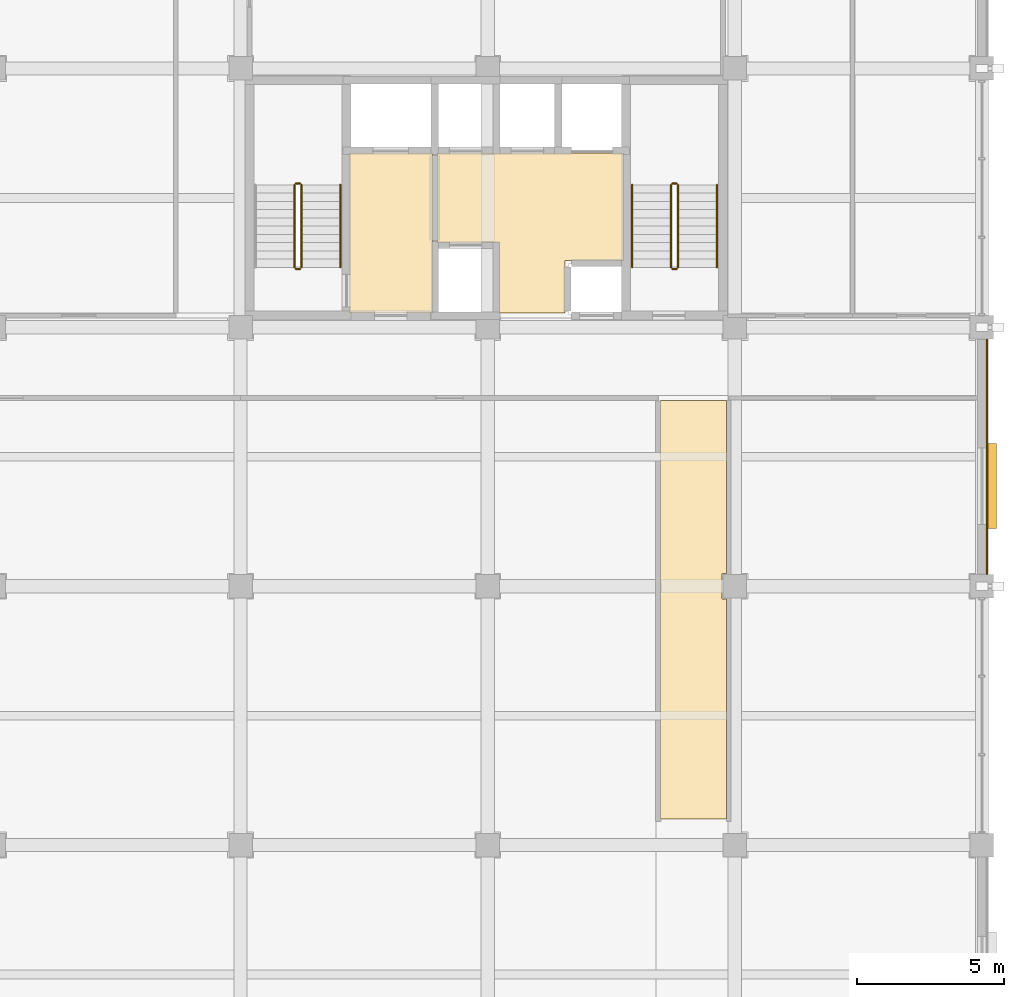
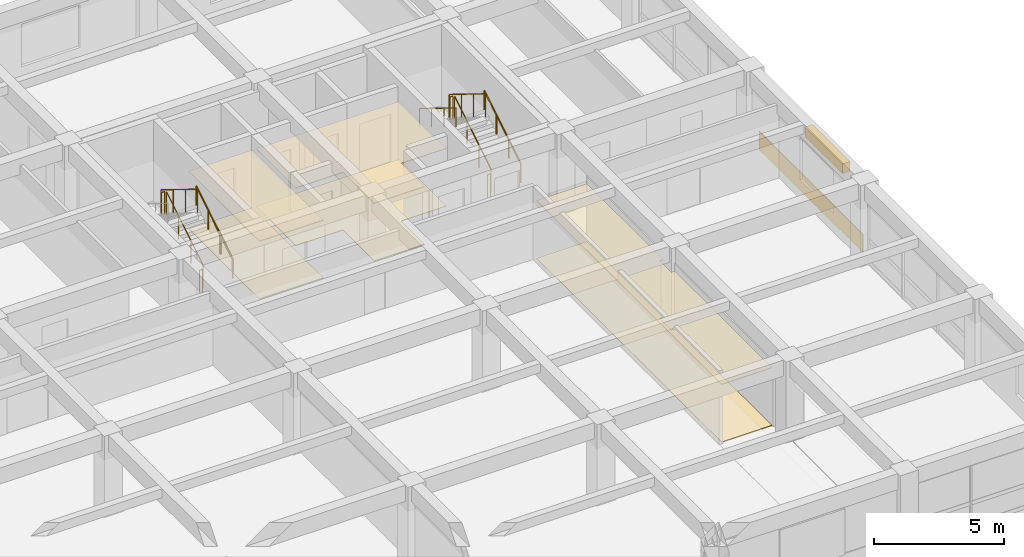
# One storey, part 15 of 16: 11 railings, 7 coverings, 1 shading device.
"""IFC4 building model written with IfcOpenShell, lengths in metres."""

from ifc_helpers import new_model, si_unit, direction, frame, origin, origin_2d, place, context, subcontext, project, spatial, polyline, rectangle, circle, outline, extrude, material, layer, layer_set, type_object, element, save


model = new_model("IFC4")

# Units and contexts
model_context = context("Model", 3, precision=1e-05, world=origin(), true_north=direction((0.0, 1.0)))
body_context = subcontext(model_context, "Body", "Model", "MODEL_VIEW")
ifc_project = project(units=[si_unit("LENGTHUNIT", "METRE"), si_unit("AREAUNIT", "SQUARE_METRE"), si_unit("VOLUMEUNIT", "CUBIC_METRE"), si_unit("PLANEANGLEUNIT", "RADIAN"), si_unit("MASSUNIT", "GRAM", prefix="KILO")], contexts=[model_context])

# Site, building, storey
site_placement = place(None, origin())
site = spatial("IfcSite", under=ifc_project, at=site_placement, CompositionType="ELEMENT")
building_placement = place(site_placement, origin())
building = spatial("IfcBuilding", under=site, at=building_placement, Name="Kemercrest Conservatory and Botanical Centre", CompositionType="ELEMENT")
storey_placement = place(building_placement, frame((0.0, 0.0, 17.199951171875)))
storey = spatial("IfcBuildingStorey", under=building, at=storey_placement, Name="L04", CompositionType="ELEMENT", Elevation=17.199951171875)

# Coverings
ifc_material_1 = material(Name="Honed limestone almasik ashlar rainscreen", Category="masonry")
ifc_layer_1 = layer(ifc_material_1, 0.0400390625)
ifc_layer_set_1 = layer_set([ifc_layer_1], Name="Honed limestone almasik ashlar rainscreen")
covering_type_1 = type_object("IfcCoveringType", Name="CV-CLD040", PredefinedType="CLADDING", material=ifc_layer_set_1)
covering_1_placement = place(storey_placement, origin())
element("IfcCovering", 1, at=covering_1_placement, inside=storey, type_object=covering_type_1, Name="Exterior stone spandrel cladding (WAL:L04:EXT-227)", PredefinedType="CLADDING", context=body_context, shape_type="SweptSolid", body=[
    extrude(outline(polyline([(176.14990234375, 96.409912109375), (176.18994140625, 96.409912109375), (176.18994140625, 104.389892578125), (176.14990234375, 104.389892578125), (176.14990234375, 96.409912109375)])), origin(), (0.0, 0.0, 1.0), 0.85009765625),
])
ifc_material_2 = material(Name="Perforated acoustic gypsum and mineral-fibre suspended ceiling", Category="gypsum")
ifc_layer_2 = layer(ifc_material_2, 0.034912109375)
ifc_layer_set_2 = layer_set([ifc_layer_2], Name="Perforated acoustic gypsum and mineral-fibre suspended ceiling")
covering_type_2 = type_object("IfcCoveringType", Name="CV-CLG035", PredefinedType="CEILING", material=ifc_layer_set_2)
covering_2_placement = place(storey_placement, frame((0.0, 0.0, 2.699951171875)))
element("IfcCovering", 2, at=covering_2_placement, inside=storey, type_object=covering_type_2, Name="Firefighting Lobby suspended acoustic ceiling", PredefinedType="CEILING", context=body_context, shape_type="SweptSolid", body=[
    extrude(outline(polyline([(154.47998046875, 105.280029296875), (157.320068359375, 105.280029296875), (157.320068359375, 110.719970703125), (154.47998046875, 110.719970703125), (154.47998046875, 105.280029296875)])), origin(), (0.0, 0.0, 1.0), 0.03515625),
])
covering_3_placement = place(storey_placement, frame((0.0, 0.0, 2.699951171875)))
element("IfcCovering", 3, at=covering_3_placement, inside=storey, type_object=covering_type_2, Name="Tower Lift Lobby suspended acoustic ceiling", PredefinedType="CEILING", context=body_context, shape_type="SweptSolid", body=[
    extrude(outline(polyline([(159.580078125, 107.679931640625), (159.580078125, 105.280029296875), (161.820068359375, 105.280029296875), (161.820068359375, 107.080078125), (163.820068359375, 107.080078125), (163.820068359375, 110.719970703125), (157.47998046875, 110.719970703125), (157.47998046875, 107.679931640625), (159.580078125, 107.679931640625)])), origin(), (0.0, 0.0, 1.0), 0.03515625),
])
covering_4_placement = place(storey_placement, frame((0.0, 0.0, 2.699951171875)))
element("IfcCovering", 4, at=covering_4_placement, inside=storey, type_object=covering_type_2, Name="East Lab Corridor suspended acoustic ceiling", PredefinedType="CEILING", context=body_context, shape_type="SweptSolid", body=[
    extrude(outline(polyline([(165.080078125, 88.080078125), (167.320068359375, 88.080078125), (167.320068359375, 95.56005859375), (167.159912109375, 95.56005859375), (167.159912109375, 96.43994140625), (167.320068359375, 96.43994140625), (167.320068359375, 102.320068359375), (165.080078125, 102.320068359375), (165.080078125, 88.080078125)])), origin(), (0.0, 0.0, 1.0), 0.03515625),
])
ifc_material_3 = material(Name="Polished limestone terrazzo and seamless laboratory epoxy flooring", Category="masonry")
ifc_layer_3 = layer(ifc_material_3, 0.02001953125)
ifc_layer_set_3 = layer_set([ifc_layer_3], Name="Polished limestone terrazzo and seamless laboratory epoxy flooring")
covering_type_3 = type_object("IfcCoveringType", Name="CV-FLR020", PredefinedType="FLOORING", material=ifc_layer_set_3)
covering_5_placement = place(storey_placement, origin())
element("IfcCovering", 5, at=covering_5_placement, inside=storey, type_object=covering_type_3, Name="Firefighting Lobby floor finish", PredefinedType="FLOORING", context=body_context, shape_type="SweptSolid", body=[
    extrude(outline(polyline([(154.47998046875, 105.280029296875), (157.320068359375, 105.280029296875), (157.320068359375, 110.719970703125), (154.47998046875, 110.719970703125), (154.47998046875, 105.280029296875)])), origin(), (0.0, 0.0, 1.0), 0.02001953125),
])
covering_6_placement = place(storey_placement, origin())
element("IfcCovering", 6, at=covering_6_placement, inside=storey, type_object=covering_type_3, Name="Tower Lift Lobby floor finish", PredefinedType="FLOORING", context=body_context, shape_type="SweptSolid", body=[
    extrude(outline(polyline([(159.580078125, 107.679931640625), (159.580078125, 105.280029296875), (161.820068359375, 105.280029296875), (161.820068359375, 107.080078125), (163.820068359375, 107.080078125), (163.820068359375, 110.719970703125), (157.47998046875, 110.719970703125), (157.47998046875, 107.679931640625), (159.580078125, 107.679931640625)])), origin(), (0.0, 0.0, 1.0), 0.02001953125),
])
covering_7_placement = place(storey_placement, origin())
element("IfcCovering", 7, at=covering_7_placement, inside=storey, type_object=covering_type_3, Name="East Lab Corridor floor finish", PredefinedType="FLOORING", context=body_context, shape_type="SweptSolid", body=[
    extrude(outline(polyline([(165.080078125, 88.080078125), (167.320068359375, 88.080078125), (167.320068359375, 95.56005859375), (167.159912109375, 95.56005859375), (167.159912109375, 96.43994140625), (167.320068359375, 96.43994140625), (167.320068359375, 102.320068359375), (165.080078125, 102.320068359375), (165.080078125, 88.080078125)])), origin(), (0.0, 0.0, 1.0), 0.02001953125),
])

# Railings
ifc_material_4 = material(Name="Painted galvanized steel tubular stair guardrail", Category="steel")
railing_type_1 = type_object("IfcRailingType", Name="GR-STR110", PredefinedType="GUARDRAIL", material=ifc_material_4)
railing_1_placement = place(storey_placement, frame((152.8701171875, 106.840087890625, 0.1728515625)))
element("IfcRailing", 8, at=railing_1_placement, inside=storey, type_object=railing_type_1, Name="L04 ST-V4A stair guard 1", PredefinedType="GUARDRAIL", context=body_context, shape_type="SweptSolid", body=[
    extrude(circle(Radius=0.02392578125, at=origin_2d()), frame((0.0, 0.0, 1.076171875), z_axis=(0.0, 0.851069175582, 0.525053576669), x_axis=(-1.0, 0.0, 0.0)), (0.0, 0.0, 1.0), 3.289794921875),
    extrude(circle(Radius=0.02099609375, at=origin_2d()), origin(), (0.0, 0.0, 1.0), 1.052001953125),
    extrude(circle(Radius=0.02099609375, at=origin_2d()), frame((0.0, 0.933349609375, 0.57568359375)), (0.0, 0.0, 1.0), 1.052001953125),
    extrude(circle(Radius=0.02099609375, at=origin_2d()), frame((0.0, 1.866455078125, 1.151611328125)), (0.0, 0.0, 1.0), 1.052001953125),
    extrude(circle(Radius=0.02099609375, at=origin_2d()), frame((0.0, 2.7998046875, 1.727294921875)), (0.0, 0.0, 1.0), 1.052001953125),
])
railing_2_placement = place(storey_placement, frame((152.820068359375, 109.68994140625, 1.900146484375)))
element("IfcRailing", 9, at=railing_2_placement, inside=storey, type_object=railing_type_1, Name="L04 ST-V4A stair guard 2", PredefinedType="GUARDRAIL", context=body_context, shape_type="SweptSolid", body=[
    extrude(circle(Radius=0.02392578125, at=origin_2d()), frame((0.0, 0.0, 1.076171875), z_axis=(-1.0, 0.0, 0.0), x_axis=(0.0, -1.0, 0.0)), (0.0, 0.0, 1.0), 0.14013671875),
    extrude(circle(Radius=0.02099609375, at=origin_2d()), origin(), (0.0, 0.0, 1.0), 1.052001953125),
    extrude(circle(Radius=0.02099609375, at=origin_2d()), frame((-0.14013671875, 0.0, 0.0)), (0.0, 0.0, 1.0), 1.052001953125),
])
railing_3_placement = place(storey_placement, frame((152.6298828125, 109.639892578125, 2.07275390625)))
element("IfcRailing", 10, at=railing_3_placement, inside=storey, type_object=railing_type_1, Name="L04 ST-V4A stair guard 3", PredefinedType="GUARDRAIL", context=body_context, shape_type="SweptSolid", body=[
    extrude(circle(Radius=0.02392578125, at=origin_2d()), frame((0.0, 0.0, 1.076171875), z_axis=(0.0, -0.851069175582, 0.525053576669), x_axis=(1.0, 0.0, 0.0)), (0.0, 0.0, 1.0), 3.289794921875),
    extrude(circle(Radius=0.02099609375, at=origin_2d()), origin(), (0.0, 0.0, 1.0), 1.052001953125),
    extrude(circle(Radius=0.02099609375, at=origin_2d()), frame((0.0, -0.933349609375, 0.57568359375)), (0.0, 0.0, 1.0), 1.052001953125),
    extrude(circle(Radius=0.02099609375, at=origin_2d()), frame((0.0, -1.866455078125, 1.151611328125)), (0.0, 0.0, 1.0), 1.052001953125),
    extrude(circle(Radius=0.02099609375, at=origin_2d()), frame((0.0, -2.7998046875, 1.727294921875)), (0.0, 0.0, 1.0), 1.052001953125),
])
railing_4_placement = place(storey_placement, frame((152.820068359375, 106.7900390625, 0.0)))
element("IfcRailing", 11, at=railing_4_placement, inside=storey, type_object=railing_type_1, Name="L04 ST-V4A stair guard 4", PredefinedType="GUARDRAIL", context=body_context, shape_type="SweptSolid", body=[
    extrude(circle(Radius=0.02392578125, at=origin_2d()), frame((0.0, 0.0, 1.076171875), z_axis=(-1.0, 0.0, 0.0), x_axis=(0.0, -1.0, 0.0)), (0.0, 0.0, 1.0), 0.14013671875),
    extrude(circle(Radius=0.02099609375, at=origin_2d()), origin(), (0.0, 0.0, 1.0), 1.052001953125),
    extrude(circle(Radius=0.02099609375, at=origin_2d()), frame((-0.14013671875, 0.0, 0.0)), (0.0, 0.0, 1.0), 1.052001953125),
])
railing_5_placement = place(storey_placement, frame((165.669921875, 106.840087890625, 0.1728515625)))
element("IfcRailing", 12, at=railing_5_placement, inside=storey, type_object=railing_type_1, Name="L04 ST-V4B stair guard 1", PredefinedType="GUARDRAIL", context=body_context, shape_type="SweptSolid", body=[
    extrude(circle(Radius=0.02392578125, at=origin_2d()), frame((0.0, 0.0, 1.076171875), z_axis=(0.0, 0.851069175582, 0.525053576669), x_axis=(-1.0, 0.0, 0.0)), (0.0, 0.0, 1.0), 3.289794921875),
    extrude(circle(Radius=0.02099609375, at=origin_2d()), origin(), (0.0, 0.0, 1.0), 1.052001953125),
    extrude(circle(Radius=0.02099609375, at=origin_2d()), frame((0.0, 0.933349609375, 0.57568359375)), (0.0, 0.0, 1.0), 1.052001953125),
    extrude(circle(Radius=0.02099609375, at=origin_2d()), frame((0.0, 1.866455078125, 1.151611328125)), (0.0, 0.0, 1.0), 1.052001953125),
    extrude(circle(Radius=0.02099609375, at=origin_2d()), frame((0.0, 2.7998046875, 1.727294921875)), (0.0, 0.0, 1.0), 1.052001953125),
])
railing_6_placement = place(storey_placement, frame((165.6201171875, 109.68994140625, 1.900146484375)))
element("IfcRailing", 13, at=railing_6_placement, inside=storey, type_object=railing_type_1, Name="L04 ST-V4B stair guard 2", PredefinedType="GUARDRAIL", context=body_context, shape_type="SweptSolid", body=[
    extrude(circle(Radius=0.02392578125, at=origin_2d()), frame((0.0, 0.0, 1.076171875), z_axis=(-1.0, 0.0, 0.0), x_axis=(0.0, -1.0, 0.0)), (0.0, 0.0, 1.0), 0.14013671875),
    extrude(circle(Radius=0.02099609375, at=origin_2d()), origin(), (0.0, 0.0, 1.0), 1.052001953125),
    extrude(circle(Radius=0.02099609375, at=origin_2d()), frame((-0.14013671875, 0.0, 0.0)), (0.0, 0.0, 1.0), 1.052001953125),
])
railing_7_placement = place(storey_placement, frame((165.429931640625, 109.639892578125, 2.07275390625)))
element("IfcRailing", 14, at=railing_7_placement, inside=storey, type_object=railing_type_1, Name="L04 ST-V4B stair guard 3", PredefinedType="GUARDRAIL", context=body_context, shape_type="SweptSolid", body=[
    extrude(circle(Radius=0.02392578125, at=origin_2d()), frame((0.0, 0.0, 1.076171875), z_axis=(0.0, -0.851069175582, 0.525053576669), x_axis=(1.0, 0.0, 0.0)), (0.0, 0.0, 1.0), 3.289794921875),
    extrude(circle(Radius=0.02099609375, at=origin_2d()), origin(), (0.0, 0.0, 1.0), 1.052001953125),
    extrude(circle(Radius=0.02099609375, at=origin_2d()), frame((0.0, -0.933349609375, 0.57568359375)), (0.0, 0.0, 1.0), 1.052001953125),
    extrude(circle(Radius=0.02099609375, at=origin_2d()), frame((0.0, -1.866455078125, 1.151611328125)), (0.0, 0.0, 1.0), 1.052001953125),
    extrude(circle(Radius=0.02099609375, at=origin_2d()), frame((0.0, -2.7998046875, 1.727294921875)), (0.0, 0.0, 1.0), 1.052001953125),
])
railing_8_placement = place(storey_placement, frame((165.6201171875, 106.7900390625, 0.0)))
element("IfcRailing", 15, at=railing_8_placement, inside=storey, type_object=railing_type_1, Name="L04 ST-V4B stair guard 4", PredefinedType="GUARDRAIL", context=body_context, shape_type="SweptSolid", body=[
    extrude(circle(Radius=0.02392578125, at=origin_2d()), frame((0.0, 0.0, 1.076171875), z_axis=(-1.0, 0.0, 0.0), x_axis=(0.0, -1.0, 0.0)), (0.0, 0.0, 1.0), 0.14013671875),
    extrude(circle(Radius=0.02099609375, at=origin_2d()), origin(), (0.0, 0.0, 1.0), 1.052001953125),
    extrude(circle(Radius=0.02099609375, at=origin_2d()), frame((-0.14013671875, 0.0, 0.0)), (0.0, 0.0, 1.0), 1.052001953125),
])
ifc_material_5 = material(Name="Brushed stainless steel wall-mounted handrail", Category="steel")
railing_type_2 = type_object("IfcRailingType", Name="HR-STR090", PredefinedType="HANDRAIL", material=ifc_material_5)
for number, where, name in (
    (16, (154.18994140625, 106.840087890625, 0.1728515625), "L04 ST-V4A stair handrail 1"),
    (17, (166.989990234375, 106.840087890625, 0.1728515625), "L04 ST-V4B stair handrail 1"),
):
    element("IfcRailing", number, at=place(storey_placement, frame(where)), inside=storey, type_object=railing_type_2, Name=name, PredefinedType="HANDRAIL", context=body_context, shape_type="SweptSolid", body=[
        extrude(circle(Radius=0.02392578125, at=origin_2d()), frame((0.0, 0.0, 0.8759765625), z_axis=(0.0, 0.851069175582, 0.525053576669), x_axis=(-1.0, 0.0, 0.0)), (0.0, 0.0, 1.0), 3.289794921875),
        extrude(circle(Radius=0.02099609375, at=origin_2d()), origin(), (0.0, 0.0, 1.0), 0.851806640625),
        extrude(circle(Radius=0.02099609375, at=origin_2d()), frame((0.0, 0.933349609375, 0.57568359375)), (0.0, 0.0, 1.0), 0.851806640625),
        extrude(circle(Radius=0.02099609375, at=origin_2d()), frame((0.0, 1.866455078125, 1.151611328125)), (0.0, 0.0, 1.0), 0.851806640625),
        extrude(circle(Radius=0.02099609375, at=origin_2d()), frame((0.0, 2.7998046875, 1.727294921875)), (0.0, 0.0, 1.0), 0.851806640625),
    ])
railing_9_placement = place(storey_placement, frame((164.110107421875, 109.639892578125, 2.07275390625)))
element("IfcRailing", 18, at=railing_9_placement, inside=storey, type_object=railing_type_2, Name="L04 ST-V4B stair handrail 2", PredefinedType="HANDRAIL", context=body_context, shape_type="SweptSolid", body=[
    extrude(circle(Radius=0.02392578125, at=origin_2d()), frame((0.0, 0.0, 0.8759765625), z_axis=(0.0, -0.851069175582, 0.525053576669), x_axis=(1.0, 0.0, 0.0)), (0.0, 0.0, 1.0), 3.289794921875),
    extrude(circle(Radius=0.02099609375, at=origin_2d()), origin(), (0.0, 0.0, 1.0), 0.851806640625),
    extrude(circle(Radius=0.02099609375, at=origin_2d()), frame((0.0, -0.933349609375, 0.57568359375)), (0.0, 0.0, 1.0), 0.851806640625),
    extrude(circle(Radius=0.02099609375, at=origin_2d()), frame((0.0, -1.866455078125, 1.151611328125)), (0.0, 0.0, 1.0), 0.851806640625),
    extrude(circle(Radius=0.02099609375, at=origin_2d()), frame((0.0, -2.7998046875, 1.727294921875)), (0.0, 0.0, 1.0), 0.851806640625),
])

# Shading device
ifc_material_6 = material(Name="Architectural bronze-anodized extruded aluminium", Category="aluminium")
shading_device_type = type_object("IfcShadingDeviceType", Name="SH-JL03", PredefinedType="JALOUSIE", material=ifc_material_6)
shading_device_placement = place(storey_placement, frame((176.322998046875, 99.405029296875, 2.7548828125), z_axis=(0.0, 0.0, 1.0), x_axis=(0.0, 1.0, 0.0)))
element("IfcShadingDevice", 19, at=shading_device_placement, inside=storey, type_object=shading_device_type, Name="Solar control louvre visor SH-JL03 (WIN:L04:EXT-227)", PredefinedType="JALOUSIE", context=body_context, shape_type="SweptSolid", body=[
    extrude(rectangle(XDim=2.8798828125, YDim=0.35009765625, at=origin_2d()), origin(), (0.0, 0.0, 1.0), 0.449951171875),
])

save(model, "model.ifc")
